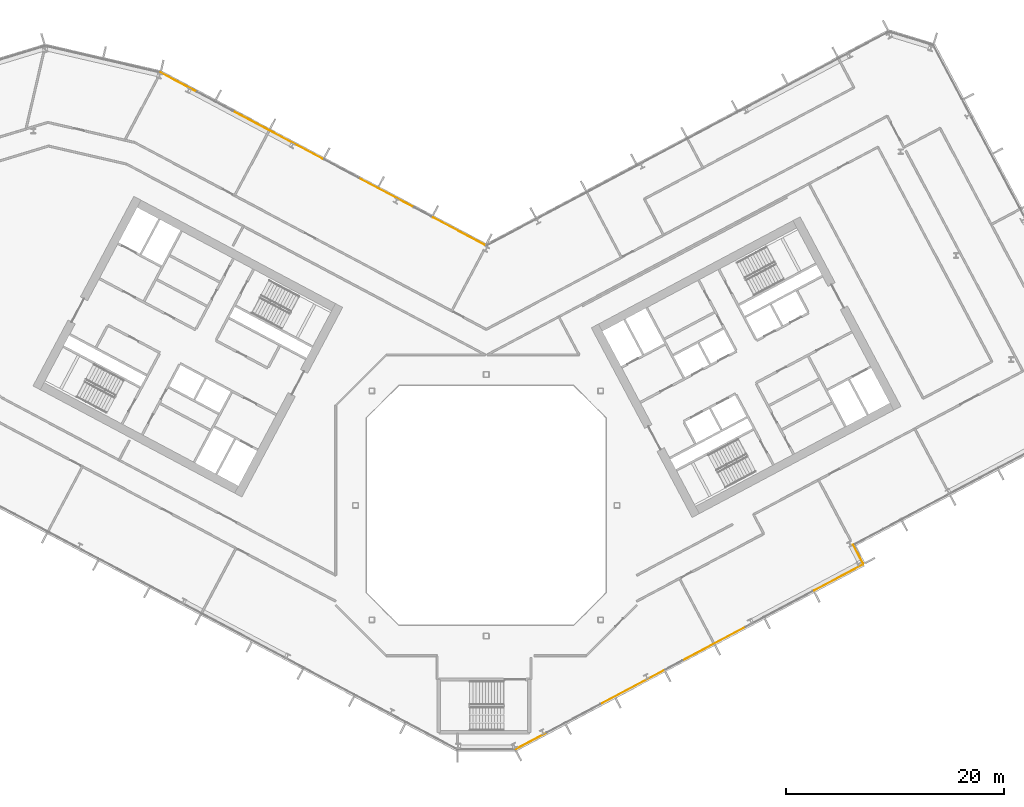
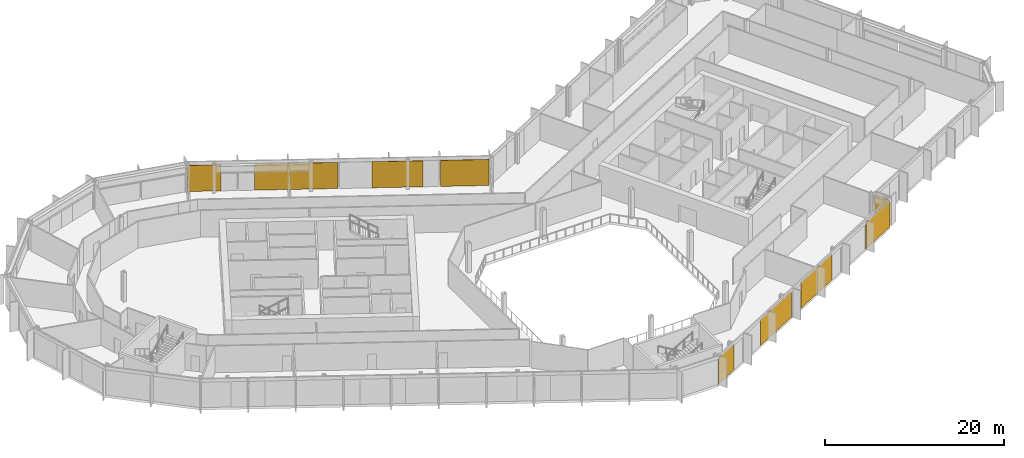
# One storey, part 24 of 28: 9 coverings, 3 elements without a shape of their own.
"""IFC4 building model written with IfcOpenShell, lengths in metres."""

from ifc_helpers import new_model, si_unit, direction, frame, origin, origin_2d, place, context, subcontext, project, spatial, rectangle, extrude, material, layer, layer_set, type_object, element, aggregate, save


model = new_model("IFC4")

# Units and contexts
model_context = context("Model", 3, precision=1e-05, world=origin(), true_north=direction((0.0, 1.0)))
body_context = subcontext(model_context, "Body", "Model", "MODEL_VIEW")
ifc_project = project(units=[si_unit("LENGTHUNIT", "METRE"), si_unit("AREAUNIT", "SQUARE_METRE"), si_unit("VOLUMEUNIT", "CUBIC_METRE"), si_unit("PLANEANGLEUNIT", "RADIAN"), si_unit("MASSUNIT", "GRAM", prefix="KILO")], contexts=[model_context])

# Site, building, storey
site_placement = place(None, origin())
site = spatial("IfcSite", under=ifc_project, at=site_placement, CompositionType="ELEMENT")
building_placement = place(site_placement, origin())
building = spatial("IfcBuilding", under=site, at=building_placement, Name="Cormorant Relay Tower", CompositionType="ELEMENT")
storey_placement = place(building_placement, frame((0.0, 0.0, 138.199951171875)))
storey = spatial("IfcBuildingStorey", under=building, at=storey_placement, Name="L28", CompositionType="ELEMENT", Elevation=138.199951171875)

# Curtain wall, coverings
ifc_material_1 = material(Name="Aluminium 6063-T6 anodised bronze", Category="aluminium")
ifc_layer_1 = layer(ifc_material_1, 0.199951171875)
ifc_layer_set_1 = layer_set([ifc_layer_1], Name="CW1 unitised bronze curtain wall with vertical fins")
curtain_wall_type = type_object("IfcCurtainWallType", Name="CW1 unitised bronze curtain wall with vertical fins", PredefinedType="NOTDEFINED", material=ifc_layer_set_1)
curtain_wall_1_placement = place(storey_placement, origin())
curtain_wall_1 = element("IfcCurtainWall", 1, at=curtain_wall_1_placement, inside=storey, type_object=curtain_wall_type, Name="CW1 curtain wall 2", PredefinedType="NOTDEFINED")
ifc_material_2 = material(Name="Pale bronze anodised aluminium insulated panel", Category="aluminium")
ifc_layer_2 = layer(ifc_material_2, 0.0400390625)
ifc_layer_set_2 = layer_set([ifc_layer_2], Name="CW1 pale bronze insulated panel 40")
covering_type = type_object("IfcCoveringType", Name="CW1 pale bronze insulated panel 40", PredefinedType="CLADDING", material=ifc_layer_set_2)
covering_1_placement = place(storey_placement, frame((4.14453125, -21.60302734375, 0.0), z_axis=(0.0, 0.0, 1.0), x_axis=(0.882947592859, 0.469471562786, 0.0)))
covering_1 = element("IfcCovering", 2, at=covering_1_placement, type_object=covering_type, Name="CW1 panel S00", PredefinedType="CLADDING", context=body_context, shape_type="SweptSolid", body=[
    extrude(rectangle(XDim=3.216552734375, YDim=0.0400390625, at=origin_2d()), origin(), (0.0, 0.0, 1.0), 3.550048828125),
])
covering_2_placement = place(storey_placement, frame((13.37109375, -16.697021484375, 0.0), z_axis=(0.0, 0.0, 1.0), x_axis=(0.882947592859, 0.469471562786, 0.0)))
covering_2 = element("IfcCovering", 3, at=covering_2_placement, type_object=covering_type, Name="CW1 panel S03", PredefinedType="CLADDING", context=body_context, shape_type="SweptSolid", body=[
    extrude(rectangle(XDim=6.5830078125, YDim=0.0400390625, at=origin_2d()), origin(), (0.0, 0.0, 1.0), 3.550048828125),
])
covering_3_placement = place(storey_placement, frame((20.905517578125, -12.69091796875, 0.0), z_axis=(0.0, 0.0, 1.0), x_axis=(0.882947592859, 0.469471562786, 0.0)))
covering_3 = element("IfcCovering", 4, at=covering_3_placement, type_object=covering_type, Name="CW1 panel S05", PredefinedType="CLADDING", context=body_context, shape_type="SweptSolid", body=[
    extrude(rectangle(XDim=6.5830078125, YDim=0.0400390625, at=origin_2d()), origin(), (0.0, 0.0, 1.0), 3.550048828125),
])
covering_4_placement = place(storey_placement, frame((32.343017578125, -6.609619140625, 0.0), z_axis=(0.0, 0.0, 1.0), x_axis=(0.882947592859, 0.469471562786, 0.0)))
covering_4 = element("IfcCovering", 5, at=covering_4_placement, type_object=covering_type, Name="CW1 panel S08", PredefinedType="CLADDING", context=body_context, shape_type="SweptSolid", body=[
    extrude(rectangle(XDim=5.091552734375, YDim=0.0400390625, at=origin_2d()), origin(), (0.0, 0.0, 1.0), 3.550048828125),
])
aggregate(curtain_wall_1, [covering_1, covering_2, covering_3, covering_4])

# Curtain wall, covering
curtain_wall_2_placement = place(storey_placement, origin())
curtain_wall_2 = element("IfcCurtainWall", 6, at=curtain_wall_2_placement, inside=storey, type_object=curtain_wall_type, Name="CW1 curtain wall 3", PredefinedType="NOTDEFINED")
covering_5_placement = place(storey_placement, frame((34.112060546875, -4.47119140625, 0.0), z_axis=(0.0, 0.0, 1.0), x_axis=(-0.469471562786, 0.882947592859, 0.0)))
covering_5 = element("IfcCovering", 7, at=covering_5_placement, type_object=covering_type, Name="CW1 panel S00", PredefinedType="CLADDING", context=body_context, shape_type="SweptSolid", body=[
    extrude(rectangle(XDim=1.925048828125, YDim=0.0400390625, at=origin_2d()), origin(), (0.0, 0.0, 1.0), 3.550048828125),
])
aggregate(curtain_wall_2, [covering_5])

# Curtain wall, coverings
curtain_wall_3_placement = place(storey_placement, origin())
curtain_wall_3 = element("IfcCurtainWall", 8, at=curtain_wall_3_placement, inside=storey, type_object=curtain_wall_type, Name="CW1 curtain wall 9", PredefinedType="NOTDEFINED")
covering_6_placement = place(storey_placement, frame((-2.51318359375, 25.142822265625, 0.0), z_axis=(0.0, 0.0, 1.0), x_axis=(-0.882947592859, 0.469471562786, 0.0)))
covering_6 = element("IfcCovering", 9, at=covering_6_placement, type_object=covering_type, Name="CW1 panel S00", PredefinedType="CLADDING", context=body_context, shape_type="SweptSolid", body=[
    extrude(rectangle(XDim=5.4140625, YDim=0.0400390625, at=origin_2d()), origin(), (0.0, 0.0, 1.0), 3.550048828125),
])
covering_7_placement = place(storey_placement, frame((-9.15380859375, 28.673828125, 0.0), z_axis=(0.0, 0.0, 1.0), x_axis=(-0.882947592859, 0.469471562786, 0.0)))
covering_7 = element("IfcCovering", 10, at=covering_7_placement, type_object=covering_type, Name="CW1 panel S02", PredefinedType="CLADDING", context=body_context, shape_type="SweptSolid", body=[
    extrude(rectangle(XDim=5.72802734375, YDim=0.0400390625, at=origin_2d()), origin(), (0.0, 0.0, 1.0), 3.550048828125),
])
covering_8_placement = place(storey_placement, frame((-19.11181640625, 33.968505859375, 0.0), z_axis=(0.0, 0.0, 1.0), x_axis=(-0.882947592859, 0.469471562786, 0.0)))
covering_8 = element("IfcCovering", 11, at=covering_8_placement, type_object=covering_type, Name="CW1 panel S04", PredefinedType="CLADDING", context=body_context, shape_type="SweptSolid", body=[
    extrude(rectangle(XDim=9.327880859375, YDim=0.0400390625, at=origin_2d()), origin(), (0.0, 0.0, 1.0), 3.550048828125),
])
covering_9_placement = place(storey_placement, frame((-28.20263671875, 38.80224609375, 0.0), z_axis=(0.0, 0.0, 1.0), x_axis=(-0.882947592859, 0.469471562786, 0.0)))
covering_9 = element("IfcCovering", 12, at=covering_9_placement, type_object=covering_type, Name="CW1 panel S07", PredefinedType="CLADDING", context=body_context, shape_type="SweptSolid", body=[
    extrude(rectangle(XDim=3.763916015625, YDim=0.0400390625, at=origin_2d()), origin(), (0.0, 0.0, 1.0), 3.550048828125),
])
aggregate(curtain_wall_3, [covering_6, covering_7, covering_8, covering_9])

save(model, "model.ifc")
